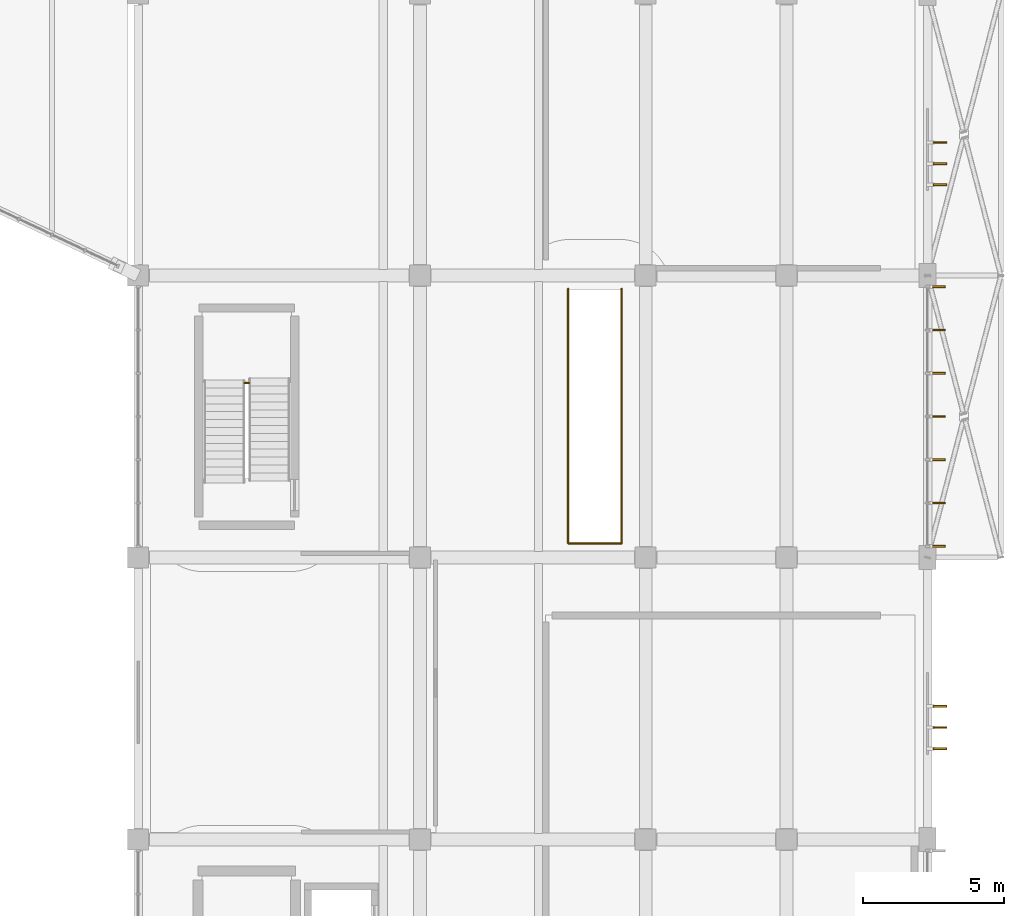
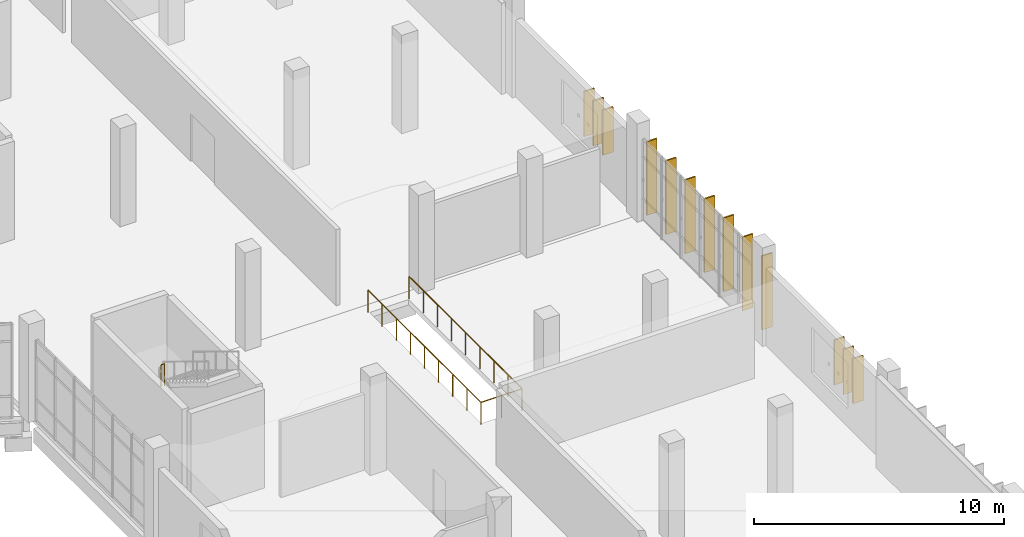
# One storey, part 169 of 179: 13 shading devices, 4 railings.
"""IFC4 building model written with IfcOpenShell, lengths in metres."""

from ifc_helpers import new_model, si_unit, direction, frame, origin, origin_2d, place, context, subcontext, project, spatial, rectangle, circle, extrude, material, layer, layer_set, type_object, element, save


model = new_model("IFC4")

# Units and contexts
model_context = context("Model", 3, precision=1e-05, world=origin(), true_north=direction((0.0, 1.0)))
body_context = subcontext(model_context, "Body", "Model", "MODEL_VIEW")
ifc_project = project(units=[si_unit("LENGTHUNIT", "METRE"), si_unit("AREAUNIT", "SQUARE_METRE"), si_unit("VOLUMEUNIT", "CUBIC_METRE"), si_unit("PLANEANGLEUNIT", "RADIAN"), si_unit("MASSUNIT", "GRAM", prefix="KILO")], contexts=[model_context])

# Site, building, storey
site_placement = place(None, origin())
site = spatial("IfcSite", under=ifc_project, at=site_placement, CompositionType="ELEMENT")
building_placement = place(site_placement, origin())
building = spatial("IfcBuilding", under=site, at=building_placement, Name="Corvandel Quay Wholesale Market", CompositionType="ELEMENT")
storey_placement = place(building_placement, frame((0.0, 0.0, 6.0)))
storey = spatial("IfcBuildingStorey", under=building, at=storey_placement, Name="L01", CompositionType="ELEMENT", Elevation=6.0)

# Railings
ifc_material_1 = material(Name="Painted galvanised tubular steel", Category="steel")
ifc_layer = layer(ifc_material_1, 0.054931640625)
ifc_layer_set = layer_set([ifc_layer], Name="Painted galvanised tubular steel")
railing_type = type_object("IfcRailingType", Name="Stairwell Inner Guard Railing GR02 1100mm", PredefinedType="GUARDRAIL", material=ifc_layer_set)
railing_1_placement = place(storey_placement, frame((223.77001953125, 46.18994140625, 2.39990234375)))
element("IfcRailing", 1, at=railing_1_placement, inside=storey, type_object=railing_type, Name="Stair Landing Well Guard 0167", PredefinedType="GUARDRAIL", context=body_context, shape_type="SweptSolid", body=[
    extrude(circle(Radius=0.02392578125, at=origin_2d()), frame((0.0, 0.0, 1.076171875), z_axis=(1.0, 0.0, 0.0), x_axis=(0.0, 1.0, 0.0)), (0.0, 0.0, 1.0), 0.159912109375),
    extrude(circle(Radius=0.02099609375, at=origin_2d()), origin(), (0.0, 0.0, 1.0), 1.052001953125),
    extrude(circle(Radius=0.02099609375, at=origin_2d()), frame((0.159912109375, 0.0, 0.0)), (0.0, 0.0, 1.0), 1.052001953125),
])
for number, where, name in (
    (2, (235.25, 40.5, 0.0), "Feature Stair Well Guard 0248"),
    (3, (237.14990234375, 40.5, 0.0), "Feature Stair Well Guard 0249"),
):
    element("IfcRailing", number, at=place(storey_placement, frame(where)), inside=storey, type_object=railing_type, Name=name, PredefinedType="GUARDRAIL", context=body_context, shape_type="SweptSolid", body=[
        extrude(circle(Radius=0.02392578125, at=origin_2d()), frame((0.0, 0.0, 1.076171875), z_axis=(0.0, 1.0, 0.0), x_axis=(-1.0, 0.0, 0.0)), (0.0, 0.0, 1.0), 9.030029296875),
        extrude(circle(Radius=0.02099609375, at=origin_2d()), origin(), (0.0, 0.0, 1.0), 1.052001953125),
        extrude(circle(Radius=0.02099609375, at=origin_2d()), frame((0.0, 1.128662109375, 0.0)), (0.0, 0.0, 1.0), 1.052001953125),
        extrude(circle(Radius=0.02099609375, at=origin_2d()), frame((0.0, 2.257568359375, 0.0)), (0.0, 0.0, 1.0), 1.052001953125),
        extrude(circle(Radius=0.02099609375, at=origin_2d()), frame((0.0, 3.38623046875, 0.0)), (0.0, 0.0, 1.0), 1.052001953125),
        extrude(circle(Radius=0.02099609375, at=origin_2d()), frame((0.0, 4.51513671875, 0.0)), (0.0, 0.0, 1.0), 1.052001953125),
        extrude(circle(Radius=0.02099609375, at=origin_2d()), frame((0.0, 5.643798828125, 0.0)), (0.0, 0.0, 1.0), 1.052001953125),
        extrude(circle(Radius=0.02099609375, at=origin_2d()), frame((0.0, 6.7724609375, 0.0)), (0.0, 0.0, 1.0), 1.052001953125),
        extrude(circle(Radius=0.02099609375, at=origin_2d()), frame((0.0, 7.9013671875, 0.0)), (0.0, 0.0, 1.0), 1.052001953125),
        extrude(circle(Radius=0.02099609375, at=origin_2d()), frame((0.0, 9.030029296875, 0.0)), (0.0, 0.0, 1.0), 1.052001953125),
    ])
railing_2_placement = place(storey_placement, frame((235.25, 40.5, 0.0)))
element("IfcRailing", 4, at=railing_2_placement, inside=storey, type_object=railing_type, Name="Feature Stair Well Guard 0250", PredefinedType="GUARDRAIL", context=body_context, shape_type="SweptSolid", body=[
    extrude(circle(Radius=0.02392578125, at=origin_2d()), frame((0.0, 0.0, 1.076171875), z_axis=(1.0, 0.0, 0.0), x_axis=(0.0, 1.0, 0.0)), (0.0, 0.0, 1.0), 1.89990234375),
    extrude(circle(Radius=0.02099609375, at=origin_2d()), origin(), (0.0, 0.0, 1.0), 1.052001953125),
    extrude(circle(Radius=0.02099609375, at=origin_2d()), frame((0.949951171875, 0.0, 0.0)), (0.0, 0.0, 1.0), 1.052001953125),
    extrude(circle(Radius=0.02099609375, at=origin_2d()), frame((1.89990234375, 0.0, 0.0)), (0.0, 0.0, 1.0), 1.052001953125),
])

# Shading devices
ifc_material_2 = material(Name="Bronze anodised extruded aluminium 6063-T6", Category="aluminium")
shading_device_type = type_object("IfcShadingDeviceType", Name="Vertical Anodised Bronze Solar Fin FN01 480mm", PredefinedType="JALOUSIE", material=ifc_material_2)
for number, where, z_axis, x_axis, name in (
    (5, (248.43994140625, 33.219970703125, 0.89990234375), (0.0, 0.0, 1.0), (1.0, 0.0, 0.0), "Solar Fin 0646"),
    (6, (248.43994140625, 33.969970703125, 0.89990234375), (0.0, 0.0, 1.0), (1.0, 0.0, 0.0), "Solar Fin 0647"),
    (7, (248.43994140625, 34.719970703125, 0.89990234375), (0.0, 0.0, 1.0), (1.0, 0.0, 0.0), "Solar Fin 0648"),
):
    element("IfcShadingDevice", number, at=place(storey_placement, frame(where, z_axis=z_axis, x_axis=x_axis)), inside=storey, type_object=shading_device_type, Name=name, PredefinedType="JALOUSIE", context=body_context, shape_type="SweptSolid", body=[
        extrude(rectangle(XDim=0.47998046875, YDim=0.06494140625, at=origin_2d()), origin(), (0.0, 0.0, 1.0), 2.199951171875),
    ])
for number, where, z_axis, x_axis, name in (
    (8, (248.3798828125, 40.39990234375, 0.175048828125), (0.0, 0.0, 1.0), (1.0, 0.0, 0.0), "Solar Fin 0649"),
    (9, (248.3798828125, 41.933349609375, 0.175048828125), (0.0, 0.0, 1.0), (1.0, 0.0, 0.0), "Solar Fin 0650"),
    (10, (248.3798828125, 43.466796875, 0.175048828125), (0.0, 0.0, 1.0), (1.0, 0.0, 0.0), "Solar Fin 0651"),
    (11, (248.3798828125, 45.0, 0.175048828125), (0.0, 0.0, 1.0), (1.0, 0.0, 0.0), "Solar Fin 0652"),
    (12, (248.3798828125, 46.533203125, 0.175048828125), (0.0, 0.0, 1.0), (1.0, 0.0, 0.0), "Solar Fin 0653"),
    (13, (248.3798828125, 48.066650390625, 0.175048828125), (0.0, 0.0, 1.0), (1.0, 0.0, 0.0), "Solar Fin 0654"),
    (14, (248.3798828125, 49.60009765625, 0.175048828125), (0.0, 0.0, 1.0), (1.0, 0.0, 0.0), "Solar Fin 0655"),
):
    element("IfcShadingDevice", number, at=place(storey_placement, frame(where, z_axis=z_axis, x_axis=x_axis)), inside=storey, type_object=shading_device_type, Name=name, PredefinedType="JALOUSIE", context=body_context, shape_type="SweptSolid", body=[
        extrude(rectangle(XDim=0.47998046875, YDim=0.06494140625, at=origin_2d()), origin(), (0.0, 0.0, 1.0), 3.60009765625),
    ])
for number, where, z_axis, x_axis, name in (
    (15, (248.43994140625, 53.219970703125, 0.89990234375), (0.0, 0.0, 1.0), (1.0, 0.0, 0.0), "Solar Fin 0656"),
    (16, (248.43994140625, 53.969970703125, 0.89990234375), (0.0, 0.0, 1.0), (1.0, 0.0, 0.0), "Solar Fin 0657"),
    (17, (248.43994140625, 54.719970703125, 0.89990234375), (0.0, 0.0, 1.0), (1.0, 0.0, 0.0), "Solar Fin 0658"),
):
    element("IfcShadingDevice", number, at=place(storey_placement, frame(where, z_axis=z_axis, x_axis=x_axis)), inside=storey, type_object=shading_device_type, Name=name, PredefinedType="JALOUSIE", context=body_context, shape_type="SweptSolid", body=[
        extrude(rectangle(XDim=0.47998046875, YDim=0.06494140625, at=origin_2d()), origin(), (0.0, 0.0, 1.0), 2.199951171875),
    ])

save(model, "model.ifc")
